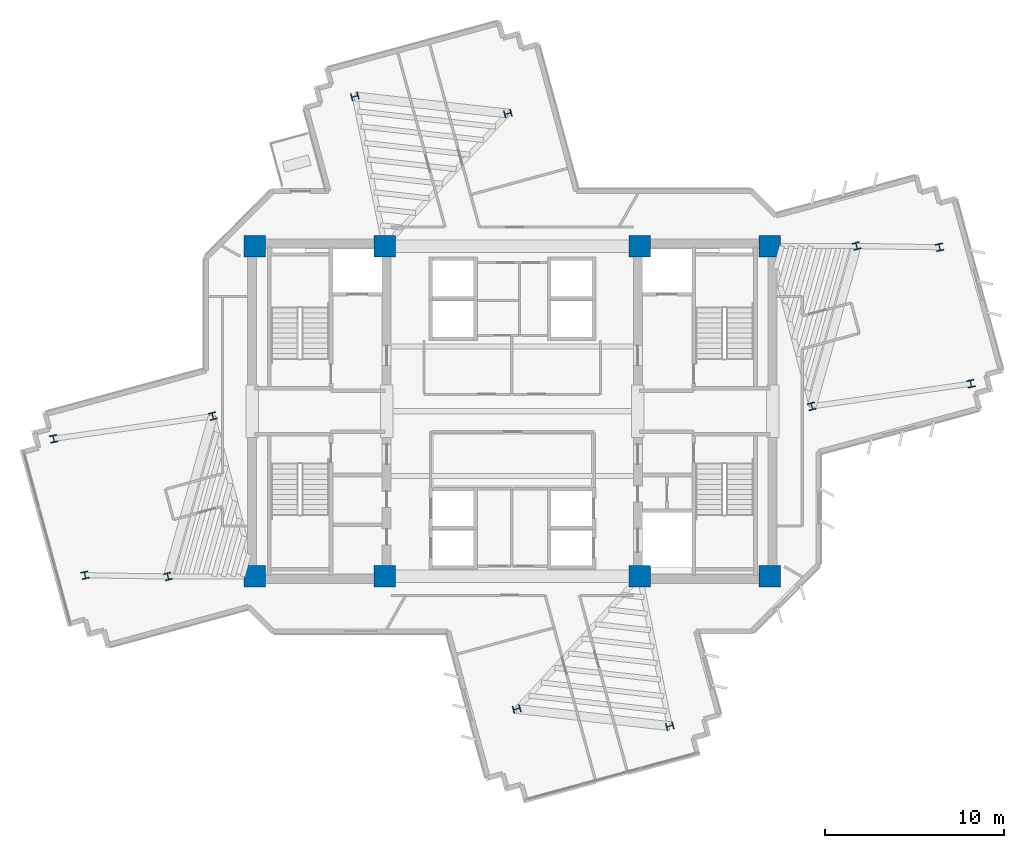
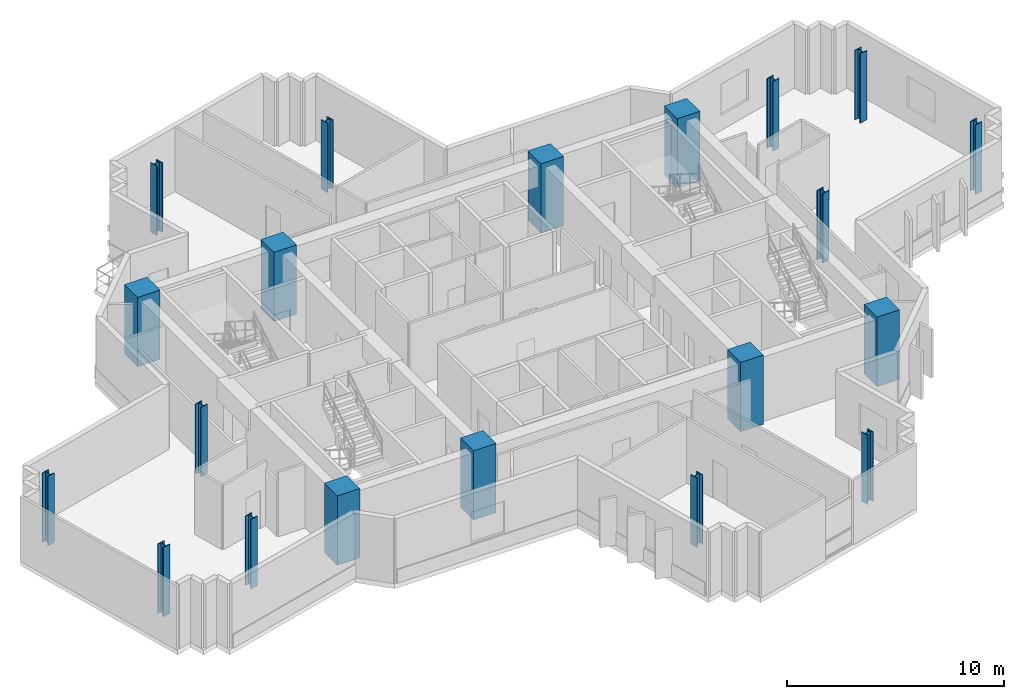
# One storey, part 1 of 15: 20 columns.
"""IFC4 building model written with IfcOpenShell, lengths in metres."""

from ifc_helpers import new_model, si_unit, direction, frame, origin, origin_2d, place, context, subcontext, project, spatial, rectangle, i_section, extrude, source, transform, mapped, material, material_profile, profile_set, type_object, element, save


model = new_model("IFC4")

# Units and contexts
model_context = context("Model", 3, precision=1e-05, world=origin(), true_north=direction((0.0, 1.0)))
body_context = subcontext(model_context, "Body", "Model", "MODEL_VIEW")
ifc_project = project(units=[si_unit("LENGTHUNIT", "METRE"), si_unit("AREAUNIT", "SQUARE_METRE"), si_unit("VOLUMEUNIT", "CUBIC_METRE"), si_unit("PLANEANGLEUNIT", "RADIAN"), si_unit("MASSUNIT", "GRAM", prefix="KILO")], contexts=[model_context])

# Site, building, storey
site_placement = place(None, origin())
site = spatial("IfcSite", under=ifc_project, at=site_placement, CompositionType="ELEMENT")
building_placement = place(site_placement, origin())
building = spatial("IfcBuilding", under=site, at=building_placement, Name="Zahravan Cultural Tower", CompositionType="ELEMENT")
storey_placement = place(building_placement, frame((0.0, 0.0, 194.10009765625)))
storey = spatial("IfcBuildingStorey", under=building, at=storey_placement, Name="L45", CompositionType="ELEMENT", Elevation=194.10009765625)

# Columns
ifc_material_1 = material(Name="Concrete C50/60", Category="concrete")
ifc_material_profile_1 = material_profile(ifc_material_1, rectangle(XDim=1.199951171875, YDim=1.199951171875, at=origin_2d()), Name="RC1200X1200")
ifc_profile_set_1 = profile_set([ifc_material_profile_1], Name="Concrete C50/60")
column_type_1 = type_object("IfcColumnType", Name="COL-RC1200", PredefinedType="COLUMN", material=ifc_profile_set_1)
shared_shape_1 = source(origin(), body_context, "Body", "SweptSolid", [
    extrude(rectangle(XDim=1.199951171875, YDim=1.199951171875, at=origin_2d()), origin(), (0.0, 0.0, 1.0), 3.89990234375),
])
for number, where, z_axis, x_axis, name in (
    (1, (21.64990234375, 17.800048828125, 0.0), (0.0, 0.0, 1.0), (1.0, 0.0, 0.0), "L45 Column CC-W1"),
    (2, (28.89990234375, 17.800048828125, 0.0), (0.0, 0.0, 1.0), (1.0, 0.0, 0.0), "L45 Column CC-W2"),
    (3, (21.64990234375, 36.199951171875, 0.0), (0.0, 0.0, 1.0), (1.0, 0.0, 0.0), "L45 Column CC-W3"),
    (4, (28.89990234375, 36.199951171875, 0.0), (0.0, 0.0, 1.0), (1.0, 0.0, 0.0), "L45 Column CC-W4"),
    (5, (43.10009765625, 17.800048828125, 0.0), (0.0, 0.0, 1.0), (1.0, 0.0, 0.0), "L45 Column CC-E1"),
    (6, (50.35009765625, 17.800048828125, 0.0), (0.0, 0.0, 1.0), (1.0, 0.0, 0.0), "L45 Column CC-E2"),
    (7, (43.10009765625, 36.199951171875, 0.0), (0.0, 0.0, 1.0), (1.0, 0.0, 0.0), "L45 Column CC-E3"),
    (8, (50.35009765625, 36.199951171875, 0.0), (0.0, 0.0, 1.0), (1.0, 0.0, 0.0), "L45 Column CC-E4"),
):
    element("IfcColumn", number, at=place(storey_placement, frame(where, z_axis=z_axis, x_axis=x_axis)), inside=storey, type_object=column_type_1, Name=name, PredefinedType="COLUMN", context=body_context, shape_type="MappedRepresentation", body=[
        mapped(shared_shape_1, transform((0.0, 0.0, 0.0), x_axis=(1.0, 0.0, 0.0), y_axis=(0.0, 1.0, 0.0), z_axis=(0.0, 0.0, 1.0), scale=1.0)),
    ])
ifc_material_2 = material(Name="Steel ASTM A992 Grade 50", Category="steel")
ifc_material_profile_2 = material_profile(ifc_material_2, i_section(OverallWidth=0.404052734375, OverallDepth=0.406982421875, WebThickness=0.027099609375, FlangeThickness=0.043701171875, FilletRadius=0.01806640625, at=origin_2d()), Name="W14X233")
ifc_profile_set_2 = profile_set([ifc_material_profile_2], Name="Steel ASTM A992 Grade 50")
column_type_2 = type_object("IfcColumnType", Name="COL-W14X233", PredefinedType="COLUMN", material=ifc_profile_set_2)
shared_shape_2 = source(origin(), body_context, "Body", "SweptSolid", [
    extrude(i_section(OverallWidth=0.404052734375, OverallDepth=0.406982421875, WebThickness=0.027099609375, FlangeThickness=0.043701171875, FilletRadius=0.01806640625, at=origin_2d()), origin(), (0.0, 0.0, 1.0), 3.89990234375),
])
for number, where, z_axis, x_axis, name in (
    (9, (52.684326171875, 27.27099609375, 0.0), (0.0, 0.0, 1.0), (0.966823388604, 0.255445757936, 0.0), "L45 Column Z2C-E1"),
    (10, (55.184814453125, 36.2060546875, 0.0), (0.0, 0.0, 1.0), (0.966823388604, 0.255445757936, 0.0), "L45 Column Z2C-E2"),
    (11, (35.754638671875, 43.587646484375, 0.0), (0.0, 0.0, 1.0), (-0.255445757936, 0.966823388604, 0.0), "L45 Column Z2C-N1"),
    (12, (27.22802734375, 44.541259765625, 0.0), (0.0, 0.0, 1.0), (-0.255445757936, 0.966823388604, 0.0), "L45 Column Z2C-N2"),
    (13, (19.315673828125, 26.72900390625, 0.0), (0.0, 0.0, 1.0), (0.966823388604, 0.255445757936, 0.0), "L45 Column Z2C-W1"),
    (14, (16.815185546875, 17.7939453125, 0.0), (0.0, 0.0, 1.0), (0.966823388604, 0.255445757936, 0.0), "L45 Column Z2C-W2"),
    (15, (36.245361328125, 10.412353515625, 0.0), (0.0, 0.0, 1.0), (-0.255445757936, 0.966823388604, 0.0), "L45 Column Z2C-S1"),
    (16, (44.77197265625, 9.458740234375, 0.0), (0.0, 0.0, 1.0), (-0.255445757936, 0.966823388604, 0.0), "L45 Column Z2C-S2"),
    (17, (61.552734375, 28.53466796875, 0.0), (0.0, 0.0, 1.0), (0.977415894286, 0.211324796455, 0.0), "L45 Column Z2T-E1"),
    (18, (59.806640625, 36.13720703125, 0.0), (0.0, 0.0, 1.0), (0.977415894286, 0.211324796455, 0.0), "L45 Column Z2T-E2"),
    (19, (10.447265625, 25.46533203125, 0.0), (0.0, 0.0, 1.0), (0.977415894286, 0.211324796455, 0.0), "L45 Column Z2T-W1"),
    (20, (12.193359375, 17.86279296875, 0.0), (0.0, 0.0, 1.0), (0.977415894286, 0.211324796455, 0.0), "L45 Column Z2T-W2"),
):
    element("IfcColumn", number, at=place(storey_placement, frame(where, z_axis=z_axis, x_axis=x_axis)), inside=storey, type_object=column_type_2, Name=name, PredefinedType="COLUMN", context=body_context, shape_type="MappedRepresentation", body=[
        mapped(shared_shape_2, transform((0.0, 0.0, 0.0), x_axis=(1.0, 0.0, 0.0), y_axis=(0.0, 1.0, 0.0), z_axis=(0.0, 0.0, 1.0), scale=1.0)),
    ])

save(model, "model.ifc")
